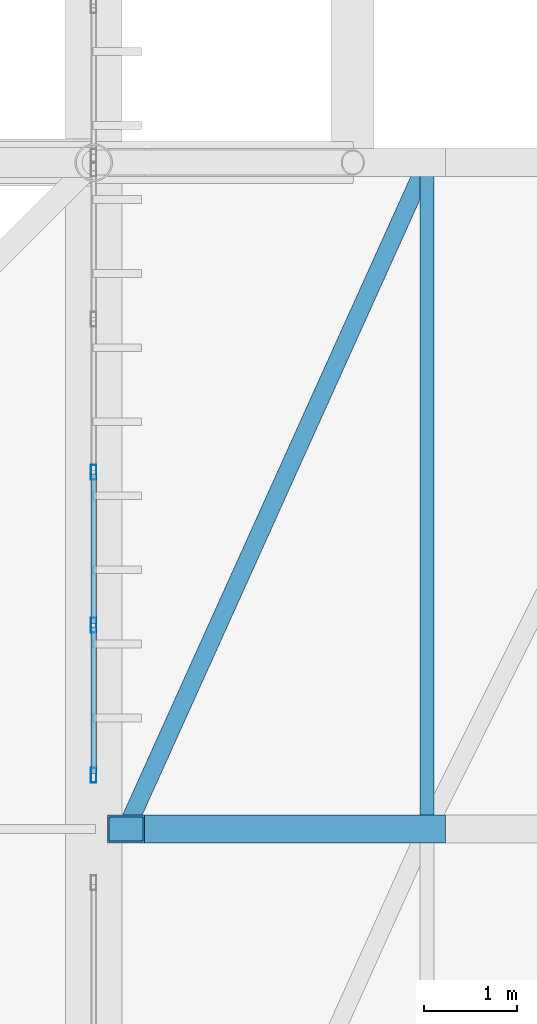
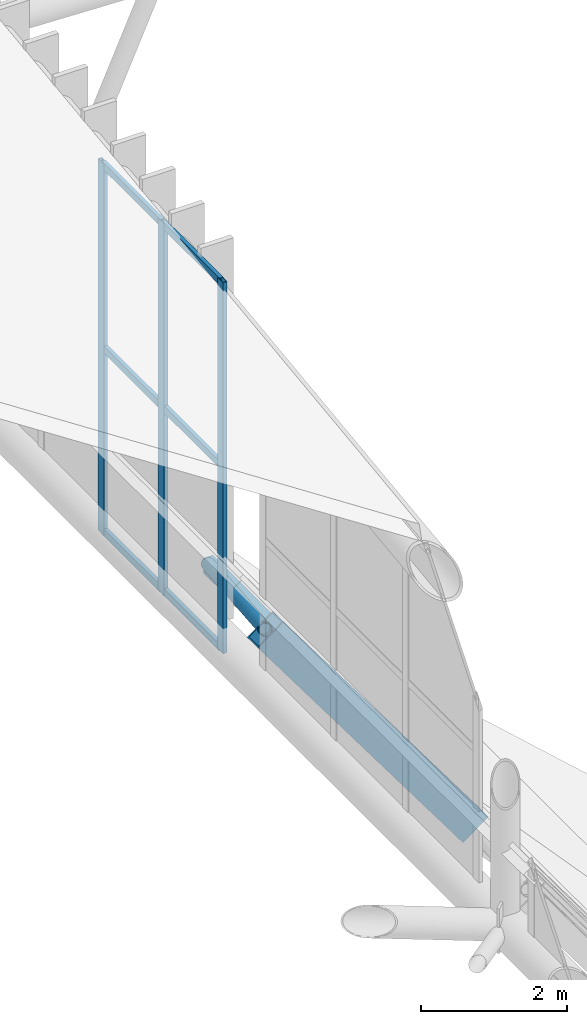
# One storey, part 153 of 397: 11 members, 1 beam, 1 element without a shape of its own.
"""IFC4 building model written with IfcOpenShell, lengths in metres."""

from ifc_helpers import new_model, si_unit, direction, frame, origin, origin_2d, place, context, subcontext, project, spatial, hollow_rectangle, hollow_circle, extrude, material, material_profile, profile_set, type_object, element, aggregate, save


model = new_model("IFC4")

# Units and contexts
model_context = context("Model", 3, precision=1e-05, world=origin(), true_north=direction((0.0, 1.0)))
body_context = subcontext(model_context, "Body", "Model", "MODEL_VIEW")
ifc_project = project(units=[si_unit("LENGTHUNIT", "METRE"), si_unit("AREAUNIT", "SQUARE_METRE"), si_unit("VOLUMEUNIT", "CUBIC_METRE"), si_unit("PLANEANGLEUNIT", "RADIAN"), si_unit("MASSUNIT", "GRAM", prefix="KILO")], contexts=[model_context])

# Site, building, storey
site_placement = place(None, origin())
site = spatial("IfcSite", under=ifc_project, at=site_placement, CompositionType="ELEMENT")
building_placement = place(site_placement, origin())
building = spatial("IfcBuilding", under=site, at=building_placement, Name="Qandorah Velis Arena", CompositionType="ELEMENT")
storey_placement = place(building_placement, frame((0.0, 0.0, 27.5)))
storey = spatial("IfcBuildingStorey", under=building, at=storey_placement, Name="RF", CompositionType="ELEMENT", Elevation=27.5)

# Curtain wall, members
ifc_material_1 = material(Name="Solar-control low-E double glazing", Category="glass")
curtain_wall_type = type_object("IfcCurtainWallType", Name="ARC-CW-SYS11", PredefinedType="USERDEFINED", material=ifc_material_1)
curtain_wall_placement = place(storey_placement, origin())
curtain_wall = element("IfcCurtainWall", 1, at=curtain_wall_placement, inside=storey, type_object=curtain_wall_type, Name="Unitised curtain wall CROWN-2-03S1", ObjectType="UNITISED CURTAIN WALL", PredefinedType="USERDEFINED")
ifc_material_2 = material(Name="Champagne-bronze anodized aluminium 6063-T6", Category="aluminium")
ifc_material_profile_1 = material_profile(ifc_material_2, hollow_rectangle(XDim=0.06005859375, YDim=0.159912109375, WallThickness=0.00341796875, at=origin_2d()), Name="ALU MULLION 60x160")
ifc_profile_set_1 = profile_set([ifc_material_profile_1], Name="Champagne-bronze anodized aluminium 6063-T6")
member_type_1 = type_object("IfcMemberType", Name="ARC-CWM-160", PredefinedType="MULLION", material=ifc_profile_set_1)
member_1_placement = place(storey_placement, frame((115.199951171875, 36.580078125, -0.014892578125), z_axis=(0.0, 0.0, 1.0), x_axis=(-1.0, 0.0, 0.0)))
member_1 = element("IfcMember", 2, at=member_1_placement, type_object=member_type_1, Name="CW11 mullion 1", PredefinedType="MULLION", context=body_context, shape_type="SweptSolid", body=[
    extrude(hollow_rectangle(XDim=0.06005859375, YDim=0.159912109375, WallThickness=0.00341796875, at=origin_2d()), origin(), (0.0, 0.0, 1.0), 6.22314453125),
])
member_2_placement = place(storey_placement, frame((115.199951171875, 38.202392578125, -0.014892578125), z_axis=(0.0, 0.0, 1.0), x_axis=(-1.0, 0.0, 0.0)))
member_2 = element("IfcMember", 3, at=member_2_placement, type_object=member_type_1, Name="CW11 mullion 2", PredefinedType="MULLION", context=body_context, shape_type="SweptSolid", body=[
    extrude(hollow_rectangle(XDim=0.06005859375, YDim=0.159912109375, WallThickness=0.00341796875, at=origin_2d()), origin(), (0.0, 0.0, 1.0), 6.22314453125),
])
member_3_placement = place(storey_placement, frame((115.199951171875, 39.85498046875, -0.014892578125), z_axis=(0.0, 0.0, 1.0), x_axis=(-1.0, 0.0, 0.0)))
member_3 = element("IfcMember", 4, at=member_3_placement, type_object=member_type_1, Name="CW11 mullion 3", PredefinedType="MULLION", context=body_context, shape_type="SweptSolid", body=[
    extrude(hollow_rectangle(XDim=0.06005859375, YDim=0.159912109375, WallThickness=0.00341796875, at=origin_2d()), origin(), (0.0, 0.0, 1.0), 6.22314453125),
])
ifc_material_profile_2 = material_profile(ifc_material_2, hollow_rectangle(XDim=0.06005859375, YDim=0.1201171875, WallThickness=0.0029296875, at=origin_2d()), Name="ALU TRANSOM 60x120")
ifc_profile_set_2 = profile_set([ifc_material_profile_2], Name="Champagne-bronze anodized aluminium 6063-T6")
member_type_2 = type_object("IfcMemberType", Name="ARC-CWT-120", PredefinedType="USERDEFINED", material=ifc_profile_set_2)
member_4_placement = place(storey_placement, frame((115.199951171875, 36.597900390625, 0.030029296875), z_axis=(0.0, 1.0, 0.0), x_axis=(-1.0, 0.0, 0.0)))
member_4 = element("IfcMember", 5, at=member_4_placement, type_object=member_type_2, Name="CW11 transom 1.1", ObjectType="TRANSOM", PredefinedType="USERDEFINED", context=body_context, shape_type="SweptSolid", body=[
    extrude(hollow_rectangle(XDim=0.06005859375, YDim=0.1201171875, WallThickness=0.0029296875, at=origin_2d()), origin(), (0.0, 0.0, 1.0), 1.586669921875),
])
member_5_placement = place(storey_placement, frame((115.199951171875, 36.597900390625, 3.0966796875), z_axis=(0.0, 1.0, 0.0), x_axis=(-1.0, 0.0, 0.0)))
member_5 = element("IfcMember", 6, at=member_5_placement, type_object=member_type_2, Name="CW11 transom 1.2", ObjectType="TRANSOM", PredefinedType="USERDEFINED", context=body_context, shape_type="SweptSolid", body=[
    extrude(hollow_rectangle(XDim=0.06005859375, YDim=0.1201171875, WallThickness=0.0029296875, at=origin_2d()), origin(), (0.0, 0.0, 1.0), 1.586669921875),
])
member_6_placement = place(storey_placement, frame((115.199951171875, 36.597900390625, 6.163330078125), z_axis=(0.0, 1.0, 0.0), x_axis=(-1.0, 0.0, 0.0)))
member_6 = element("IfcMember", 7, at=member_6_placement, type_object=member_type_2, Name="CW11 transom 1.3", ObjectType="TRANSOM", PredefinedType="USERDEFINED", context=body_context, shape_type="SweptSolid", body=[
    extrude(hollow_rectangle(XDim=0.06005859375, YDim=0.1201171875, WallThickness=0.0029296875, at=origin_2d()), origin(), (0.0, 0.0, 1.0), 1.586669921875),
])
member_7_placement = place(storey_placement, frame((115.199951171875, 38.220458984375, 0.030029296875), z_axis=(0.0, 1.0, 0.0), x_axis=(-1.0, 0.0, 0.0)))
member_7 = element("IfcMember", 8, at=member_7_placement, type_object=member_type_2, Name="CW11 transom 2.1", ObjectType="TRANSOM", PredefinedType="USERDEFINED", context=body_context, shape_type="SweptSolid", body=[
    extrude(hollow_rectangle(XDim=0.06005859375, YDim=0.1201171875, WallThickness=0.0029296875, at=origin_2d()), origin(), (0.0, 0.0, 1.0), 1.616455078125),
])
member_8_placement = place(storey_placement, frame((115.199951171875, 38.220458984375, 3.0966796875), z_axis=(0.0, 1.0, 0.0), x_axis=(-1.0, 0.0, 0.0)))
member_8 = element("IfcMember", 9, at=member_8_placement, type_object=member_type_2, Name="CW11 transom 2.2", ObjectType="TRANSOM", PredefinedType="USERDEFINED", context=body_context, shape_type="SweptSolid", body=[
    extrude(hollow_rectangle(XDim=0.06005859375, YDim=0.1201171875, WallThickness=0.0029296875, at=origin_2d()), origin(), (0.0, 0.0, 1.0), 1.616455078125),
])
member_9_placement = place(storey_placement, frame((115.199951171875, 38.220458984375, 6.163330078125), z_axis=(0.0, 1.0, 0.0), x_axis=(-1.0, 0.0, 0.0)))
member_9 = element("IfcMember", 10, at=member_9_placement, type_object=member_type_2, Name="CW11 transom 2.3", ObjectType="TRANSOM", PredefinedType="USERDEFINED", context=body_context, shape_type="SweptSolid", body=[
    extrude(hollow_rectangle(XDim=0.06005859375, YDim=0.1201171875, WallThickness=0.0029296875, at=origin_2d()), origin(), (0.0, 0.0, 1.0), 1.616455078125),
])
aggregate(curtain_wall, [member_1, member_2, member_3, member_4, member_5, member_6, member_7, member_8, member_9])

# Beam
ifc_material_3 = material(Name="Steel S355", Category="steel")
ifc_material_profile_3 = material_profile(ifc_material_3, hollow_rectangle(XDim=0.300048828125, YDim=0.5, WallThickness=0.02001953125, at=origin_2d()), Name="RHS 500x300x20")
ifc_profile_set_3 = profile_set([ifc_material_profile_3], Name="Steel S355")
beam_type = type_object("IfcBeamType", Name="STR-CRB-RHS500", PredefinedType="USERDEFINED", material=ifc_profile_set_3)
beam_placement = place(storey_placement, frame((115.550048828125, 36.0, 0.562744140625), z_axis=(0.593780108207, 0.0, -0.804627356667), x_axis=(0.0, 1.0, 0.0)))
element("IfcBeam", 11, at=beam_placement, inside=storey, type_object=beam_type, Name="Sweeping canopy rib CRB-4.01", ObjectType="ROOF TRUSS", PredefinedType="USERDEFINED", context=body_context, shape_type="SweptSolid", body=[
    extrude(hollow_rectangle(XDim=0.300048828125, YDim=0.5, WallThickness=0.02001953125, at=origin_2d()), origin(), (0.0, 0.0, 1.0), 5.473388671875),
])

# Members
ifc_material_profile_4 = material_profile(ifc_material_3, hollow_rectangle(XDim=0.14990234375, YDim=0.25, WallThickness=0.010009765625, at=origin_2d()), Name="RHS 250x150x10")
ifc_profile_set_4 = profile_set([ifc_material_profile_4], Name="Steel S355")
member_type_3 = type_object("IfcMemberType", Name="STR-PRL-RHS250", PredefinedType="PURLIN", material=ifc_profile_set_4)
member_10_placement = place(storey_placement, frame((118.800048828125, 36.0, -3.84130859375), z_axis=(0.0, 1.0, 0.0), x_axis=(-1.0, 0.0, 0.0)))
element("IfcMember", 12, at=member_10_placement, inside=storey, type_object=member_type_3, Name="Canopy cross purlin CPR-4.01", PredefinedType="PURLIN", context=body_context, shape_type="SweptSolid", body=[
    extrude(hollow_rectangle(XDim=0.14990234375, YDim=0.25, WallThickness=0.010009765625, at=origin_2d()), origin(), (0.0, 0.0, 1.0), 7.199951171875),
])
ifc_material_profile_5 = material_profile(ifc_material_3, hollow_circle(Radius=0.096923828125, WallThickness=0.010009765625, at=origin_2d()), Name="CHS 193.7x10")
ifc_profile_set_5 = profile_set([ifc_material_profile_5], Name="Steel S355")
member_type_4 = type_object("IfcMemberType", Name="STR-SFD-CHS193X10", PredefinedType="STRUT", material=ifc_profile_set_5)
member_11_placement = place(storey_placement, frame((115.550048828125, 36.0, 0.562744140625), z_axis=(0.359346488943, 0.796085284361, -0.486947965298), x_axis=(-0.911446126147, 0.41141944428, 0.0)))
element("IfcMember", 13, at=member_11_placement, inside=storey, type_object=member_type_4, Name="Canopy roof plane diagonal CDG-4.01", PredefinedType="STRUT", context=body_context, shape_type="SweptSolid", body=[
    extrude(hollow_circle(Radius=0.096923828125, WallThickness=0.010009765625, at=origin_2d()), origin(), (0.0, 0.0, 1.0), 9.044189453125),
])

save(model, "model.ifc")
